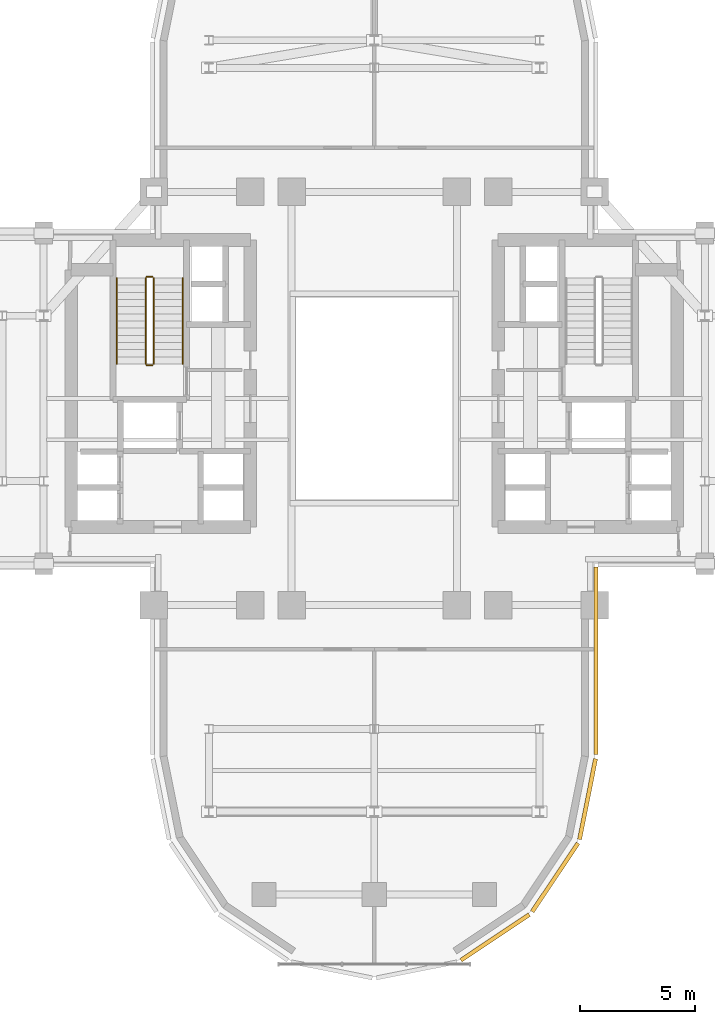
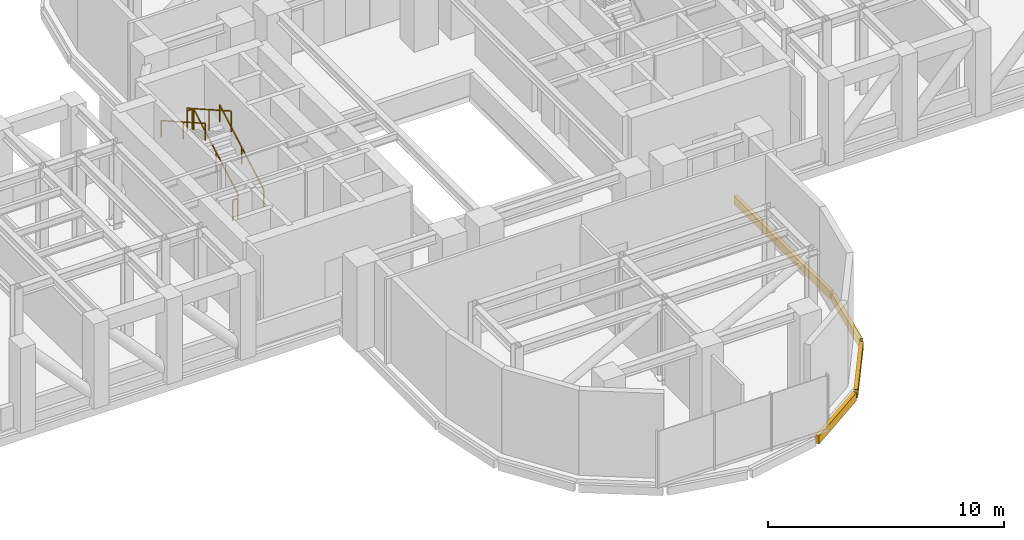
# One storey, part 13 of 15: 6 railings, 4 coverings.
"""IFC4 building model written with IfcOpenShell, lengths in metres."""

from ifc_helpers import new_model, si_unit, direction, frame, origin, origin_2d, place, context, subcontext, project, spatial, rectangle, extrude, source, transform, mapped, material, layer, layer_set, type_object, element, save


model = new_model("IFC4")

# Units and contexts
model_context = context("Model", 3, precision=1e-05, world=origin(), true_north=direction((0.0, 1.0)))
body_context = subcontext(model_context, "Body", "Model", "MODEL_VIEW")
ifc_project = project(units=[si_unit("LENGTHUNIT", "METRE"), si_unit("AREAUNIT", "SQUARE_METRE"), si_unit("VOLUMEUNIT", "CUBIC_METRE"), si_unit("PLANEANGLEUNIT", "RADIAN"), si_unit("MASSUNIT", "GRAM", prefix="KILO")], contexts=[model_context])

# Site, building, storey
site_placement = place(None, origin())
site = spatial("IfcSite", under=ifc_project, at=site_placement, CompositionType="ELEMENT")
building_placement = place(site_placement, origin())
building = spatial("IfcBuilding", under=site, at=building_placement, Name="Keilestroom Media Tower", CompositionType="ELEMENT")
storey_placement = place(building_placement, frame((0.0, 0.0, 88.39990234375)))
storey = spatial("IfcBuildingStorey", under=building, at=storey_placement, Name="L23", CompositionType="ELEMENT", Elevation=88.39990234375)

# Railings
ifc_material_1 = material(Name="Brushed Stainless Steel 1.4301", Category="steel")
railing_type_1 = type_object("IfcRailingType", Name="Stair-Pitch-Handrail-920", PredefinedType="HANDRAIL", material=ifc_material_1)
railing_1_placement = place(storey_placement, frame((-8.35009765625, 1.5, 0.177001953125)))
element("IfcRailing", 1, at=railing_1_placement, inside=storey, type_object=railing_type_1, Name="L23 ST-1 stair handrail 1", PredefinedType="HANDRAIL", context=body_context, shape_type="SweptSolid", body=[
    extrude(rectangle(XDim=0.048095703125, YDim=0.048095703125, at=origin_2d()), frame((0.0, 0.0, 0.8759765625), z_axis=(0.0, 0.869872104396, 0.493277327671), x_axis=(-1.0, 0.0, 0.0)), (0.0, 0.0, 1.0), 4.303955078125),
    extrude(rectangle(XDim=0.0419921875, YDim=0.0419921875, at=origin_2d()), origin(), (0.0, 0.0, 1.0), 0.84375),
    extrude(rectangle(XDim=0.0419921875, YDim=0.0419921875, at=origin_2d()), frame((0.0, 1.8720703125, 1.0615234375)), (0.0, 0.0, 1.0), 0.84375),
    extrude(rectangle(XDim=0.0419921875, YDim=0.0419921875, at=origin_2d()), frame((0.0, 3.743896484375, 2.123046875)), (0.0, 0.0, 1.0), 0.84375),
])
railing_2_placement = place(storey_placement, frame((-11.2099609375, 5.243896484375, 2.47705078125)))
element("IfcRailing", 2, at=railing_2_placement, inside=storey, type_object=railing_type_1, Name="L23 ST-1 stair handrail 2", PredefinedType="HANDRAIL", context=body_context, shape_type="SweptSolid", body=[
    extrude(rectangle(XDim=0.048095703125, YDim=0.048095703125, at=origin_2d()), frame((0.0, 0.0, 0.8759765625), z_axis=(0.0, -0.869872104396, 0.493277327671), x_axis=(1.0, 0.0, 0.0)), (0.0, 0.0, 1.0), 4.303955078125),
    extrude(rectangle(XDim=0.0419921875, YDim=0.0419921875, at=origin_2d()), origin(), (0.0, 0.0, 1.0), 0.84375),
    extrude(rectangle(XDim=0.0419921875, YDim=0.0419921875, at=origin_2d()), frame((0.0, -1.8720703125, 1.0615234375)), (0.0, 0.0, 1.0), 0.84375),
    extrude(rectangle(XDim=0.0419921875, YDim=0.0419921875, at=origin_2d()), frame((0.0, -3.743896484375, 2.123046875)), (0.0, 0.0, 1.0), 0.84375),
])
ifc_material_2 = material(Name="Painted Steel Balustrade", Category="steel")
railing_type_2 = type_object("IfcRailingType", Name="Stair-Well-And-Landing-Guard-1100", PredefinedType="GUARDRAIL", material=ifc_material_2)
railing_3_placement = place(storey_placement, frame((-9.610107421875, 1.5, 0.177001953125)))
element("IfcRailing", 3, at=railing_3_placement, inside=storey, type_object=railing_type_2, Name="L23 ST-1 stair guard 1", PredefinedType="GUARDRAIL", context=body_context, shape_type="SweptSolid", body=[
    extrude(rectangle(XDim=0.048095703125, YDim=0.048095703125, at=origin_2d()), frame((0.0, 0.0, 1.076171875), z_axis=(0.0, 0.869872104396, 0.493277327671), x_axis=(-1.0, 0.0, 0.0)), (0.0, 0.0, 1.0), 4.303955078125),
    extrude(rectangle(XDim=0.0419921875, YDim=0.0419921875, at=origin_2d()), origin(), (0.0, 0.0, 1.0), 1.0439453125),
    extrude(rectangle(XDim=0.0419921875, YDim=0.0419921875, at=origin_2d()), frame((0.0, 1.8720703125, 1.0615234375)), (0.0, 0.0, 1.0), 1.0439453125),
    extrude(rectangle(XDim=0.0419921875, YDim=0.0419921875, at=origin_2d()), frame((0.0, 3.743896484375, 2.123046875)), (0.0, 0.0, 1.0), 1.0439453125),
])
railing_4_placement = place(storey_placement, frame((-9.659912109375, 5.2939453125, 2.300048828125)))
element("IfcRailing", 4, at=railing_4_placement, inside=storey, type_object=railing_type_2, Name="L23 ST-1 stair guard 2", PredefinedType="GUARDRAIL", context=body_context, shape_type="SweptSolid", body=[
    extrude(rectangle(XDim=0.048095703125, YDim=0.048095703125, at=origin_2d()), frame((0.0, 0.0, 1.076171875), z_axis=(-1.0, 0.0, 0.0), x_axis=(0.0, -1.0, 0.0)), (0.0, 0.0, 1.0), 0.239990234375),
    extrude(rectangle(XDim=0.0419921875, YDim=0.0419921875, at=origin_2d()), origin(), (0.0, 0.0, 1.0), 1.0439453125),
    extrude(rectangle(XDim=0.0419921875, YDim=0.0419921875, at=origin_2d()), frame((-0.239990234375, 0.0, 0.0)), (0.0, 0.0, 1.0), 1.0439453125),
])
railing_5_placement = place(storey_placement, frame((-9.949951171875, 5.243896484375, 2.47705078125)))
element("IfcRailing", 5, at=railing_5_placement, inside=storey, type_object=railing_type_2, Name="L23 ST-1 stair guard 3", PredefinedType="GUARDRAIL", context=body_context, shape_type="SweptSolid", body=[
    extrude(rectangle(XDim=0.048095703125, YDim=0.048095703125, at=origin_2d()), frame((0.0, 0.0, 1.076171875), z_axis=(0.0, -0.869872104396, 0.493277327671), x_axis=(1.0, 0.0, 0.0)), (0.0, 0.0, 1.0), 4.303955078125),
    extrude(rectangle(XDim=0.0419921875, YDim=0.0419921875, at=origin_2d()), origin(), (0.0, 0.0, 1.0), 1.0439453125),
    extrude(rectangle(XDim=0.0419921875, YDim=0.0419921875, at=origin_2d()), frame((0.0, -1.8720703125, 1.0615234375)), (0.0, 0.0, 1.0), 1.0439453125),
    extrude(rectangle(XDim=0.0419921875, YDim=0.0419921875, at=origin_2d()), frame((0.0, -3.743896484375, 2.123046875)), (0.0, 0.0, 1.0), 1.0439453125),
])
railing_6_placement = place(storey_placement, frame((-9.659912109375, 1.449951171875, 0.0)))
element("IfcRailing", 6, at=railing_6_placement, inside=storey, type_object=railing_type_2, Name="L23 ST-1 stair guard 4", PredefinedType="GUARDRAIL", context=body_context, shape_type="SweptSolid", body=[
    extrude(rectangle(XDim=0.048095703125, YDim=0.048095703125, at=origin_2d()), frame((0.0, 0.0, 1.076171875), z_axis=(-1.0, 0.0, 0.0), x_axis=(0.0, -1.0, 0.0)), (0.0, 0.0, 1.0), 0.239990234375),
    extrude(rectangle(XDim=0.0419921875, YDim=0.0419921875, at=origin_2d()), origin(), (0.0, 0.0, 1.0), 1.0439453125),
    extrude(rectangle(XDim=0.0419921875, YDim=0.0419921875, at=origin_2d()), frame((-0.239990234375, 0.0, 0.0)), (0.0, 0.0, 1.0), 1.0439453125),
])

# Coverings
ifc_material_3 = material(Name="Precast concrete C40/50", Category="concrete")
ifc_layer = layer(ifc_material_3, 0.1201171875)
ifc_layer_set = layer_set([ifc_layer], Name="Precast concrete C40/50")
covering_type = type_object("IfcCoveringType", Name="Exterior-Precast-Spandrel-Cladding-Panel-120", PredefinedType="CLADDING", material=ifc_layer_set)
shared_shape_1 = source(origin(), body_context, "Body", "SweptSolid", [
    extrude(rectangle(XDim=8.166015625, YDim=0.179931640625, at=origin_2d()), origin(), (0.0, 0.0, 1.0), 0.419921875),
])
covering_1_placement = place(storey_placement, frame((9.659912109375, -11.43310546875, -0.599853515625), z_axis=(0.0, 0.0, 1.0), x_axis=(0.0, -1.0, 0.0)))
element("IfcCovering", 7, at=covering_1_placement, inside=storey, type_object=covering_type, Name="L23 Precast Slab-Edge Fascia Cornice 06", PredefinedType="CLADDING", context=body_context, shape_type="MappedRepresentation", body=[
    mapped(shared_shape_1, transform((0.0, 0.0, 0.0), x_axis=(1.0, 0.0, 0.0), y_axis=(0.0, 1.0, 0.0), z_axis=(0.0, 0.0, 1.0), scale=1.0)),
])
shared_shape_2 = source(origin(), body_context, "Body", "SweptSolid", [
    extrude(rectangle(XDim=3.58349609375, YDim=0.179931640625, at=origin_2d()), origin(), (0.0, 0.0, 1.0), 0.419921875),
])
covering_2_placement = place(storey_placement, frame((9.29296875, -17.45166015625, -0.599853515625), z_axis=(0.0, 0.0, 1.0), x_axis=(-0.195098880975, -0.980783577882, 0.0)))
element("IfcCovering", 8, at=covering_2_placement, inside=storey, type_object=covering_type, Name="L23 Precast Slab-Edge Fascia Cornice 07", PredefinedType="CLADDING", context=body_context, shape_type="MappedRepresentation", body=[
    mapped(shared_shape_2, transform((0.0, 0.0, 0.0), x_axis=(1.0, 0.0, 0.0), y_axis=(0.0, 1.0, 0.0), z_axis=(0.0, 0.0, 1.0), scale=1.0)),
])
shared_shape_3 = source(origin(), body_context, "Body", "SweptSolid", [
    extrude(rectangle(XDim=3.589599609375, YDim=0.179931640625, at=origin_2d()), origin(), (0.0, 0.0, 1.0), 0.419921875),
])
for number, where, z_axis, x_axis, name in (
    (9, (7.878662109375, -20.8642578125, -0.599853515625), (0.0, 0.0, 1.0), (-0.555574586577, -0.831466703332, 0.0), "L23 Precast Slab-Edge Fascia Cornice 08"),
    (10, (5.264404296875, -23.478515625, -0.599853515625), (0.0, 0.0, 1.0), (-0.831466703332, -0.555574586577, 0.0), "L23 Precast Slab-Edge Fascia Cornice 09"),
):
    element("IfcCovering", number, at=place(storey_placement, frame(where, z_axis=z_axis, x_axis=x_axis)), inside=storey, type_object=covering_type, Name=name, PredefinedType="CLADDING", context=body_context, shape_type="MappedRepresentation", body=[
        mapped(shared_shape_3, transform((0.0, 0.0, 0.0), x_axis=(1.0, 0.0, 0.0), y_axis=(0.0, 1.0, 0.0), z_axis=(0.0, 0.0, 1.0), scale=1.0)),
    ])

save(model, "model.ifc")
